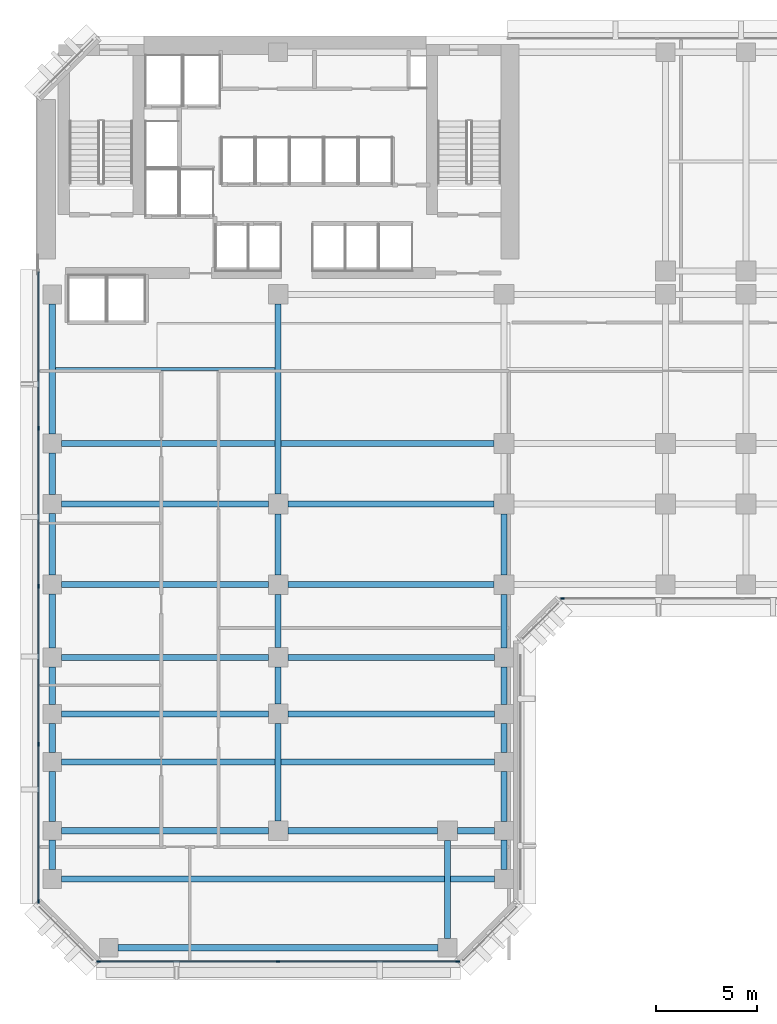
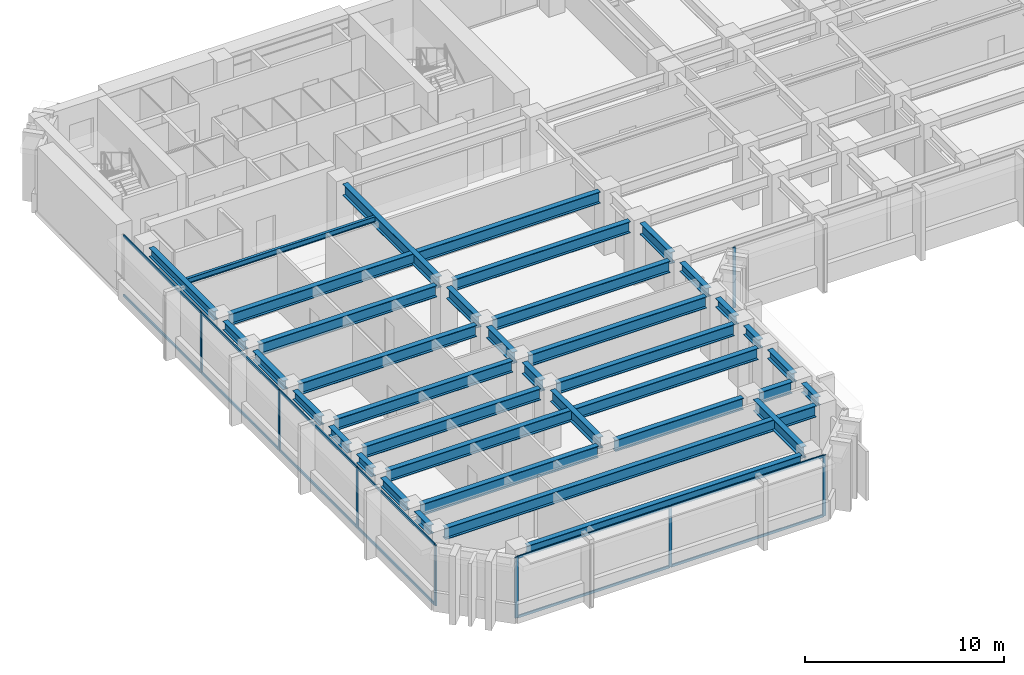
# One storey, part 2 of 13: 36 beams, 20 members, 3 elements without a shape of their own.
"""IFC4 building model written with IfcOpenShell, lengths in metres."""

from ifc_helpers import new_model, si_unit, direction, frame, origin, origin_2d, place, context, subcontext, project, spatial, rectangle, i_section, extrude, material, layer, layer_set, material_profile, profile_set, type_object, element, aggregate, save


model = new_model("IFC4")

# Units and contexts
model_context = context("Model", 3, precision=1e-05, world=origin(), true_north=direction((0.0, 1.0)))
body_context = subcontext(model_context, "Body", "Model", "MODEL_VIEW")
ifc_project = project(units=[si_unit("LENGTHUNIT", "METRE"), si_unit("AREAUNIT", "SQUARE_METRE"), si_unit("VOLUMEUNIT", "CUBIC_METRE"), si_unit("PLANEANGLEUNIT", "RADIAN"), si_unit("MASSUNIT", "GRAM", prefix="KILO")], contexts=[model_context])

# Site, building, storey
site_placement = place(None, origin())
site = spatial("IfcSite", under=ifc_project, at=site_placement, CompositionType="ELEMENT")
building_placement = place(site_placement, origin())
building = spatial("IfcBuilding", under=site, at=building_placement, Name="Kefirva Bronze Tower", CompositionType="ELEMENT")
storey_placement = place(building_placement, frame((0.0, 0.0, 46.199951171875)))
storey = spatial("IfcBuildingStorey", under=building, at=storey_placement, Name="L10", CompositionType="ELEMENT", Elevation=46.199951171875)

# Curtain wall, members
ifc_material_1 = material(Name="Bronze anodised aluminium", Category="aluminium")
ifc_layer = layer(ifc_material_1, 0.199951171875, Name="Bronze anodised aluminium")
ifc_layer_set = layer_set([ifc_layer], Name="Bronze anodised aluminium")
curtain_wall_type = type_object("IfcCurtainWallType", Name="Unitised Bronze Ribbon Curtain Wall Zone 1", PredefinedType="USERDEFINED", material=ifc_layer_set)
curtain_wall_1_placement = place(storey_placement, origin())
curtain_wall_1 = element("IfcCurtainWall", 1, at=curtain_wall_1_placement, inside=storey, type_object=curtain_wall_type, Name="L10 Curtain Wall 1", ObjectType="UNITISED CURTAIN WALL", PredefinedType="USERDEFINED")
ifc_material_profile_1 = material_profile(ifc_material_1, rectangle(XDim=0.074951171875, YDim=0.179931640625, at=origin_2d()), Name="ALU 75x180")
ifc_profile_set_1 = profile_set([ifc_material_profile_1], Name="Bronze anodised aluminium")
member_type_1 = type_object("IfcMemberType", Name="Bronze Mullion 75x180", PredefinedType="MULLION", material=ifc_profile_set_1)
member_1_placement = place(storey_placement, frame((3.092529296875, 0.1201171875, 0.0), z_axis=(0.0, 0.0, 1.0), x_axis=(0.0, 1.0, 0.0)))
member_1 = element("IfcMember", 2, at=member_1_placement, type_object=member_type_1, Name="CW-01 mullion 1", PredefinedType="MULLION", context=body_context, shape_type="SweptSolid", body=[
    extrude(rectangle(XDim=0.074951171875, YDim=0.179931640625, at=origin_2d()), origin(), (0.0, 0.0, 1.0), 3.7099609375),
])
member_2_placement = place(storey_placement, frame((12.0, 0.1201171875, 0.0), z_axis=(0.0, 0.0, 1.0), x_axis=(0.0, 1.0, 0.0)))
member_2 = element("IfcMember", 3, at=member_2_placement, type_object=member_type_1, Name="CW-01 mullion 2", PredefinedType="MULLION", context=body_context, shape_type="SweptSolid", body=[
    extrude(rectangle(XDim=0.074951171875, YDim=0.179931640625, at=origin_2d()), origin(), (0.0, 0.0, 1.0), 3.7099609375),
])
member_3_placement = place(storey_placement, frame((20.907470703125, 0.1201171875, 0.0), z_axis=(0.0, 0.0, 1.0), x_axis=(0.0, 1.0, 0.0)))
member_3 = element("IfcMember", 4, at=member_3_placement, type_object=member_type_1, Name="CW-01 mullion 3", PredefinedType="MULLION", context=body_context, shape_type="SweptSolid", body=[
    extrude(rectangle(XDim=0.074951171875, YDim=0.179931640625, at=origin_2d()), origin(), (0.0, 0.0, 1.0), 3.7099609375),
])

# Curtain wall, member
curtain_wall_2_placement = place(storey_placement, origin())
curtain_wall_2 = element("IfcCurtainWall", 5, at=curtain_wall_2_placement, inside=storey, type_object=curtain_wall_type, Name="L10 Curtain Wall 2", ObjectType="UNITISED CURTAIN WALL", PredefinedType="USERDEFINED")
member_4_placement = place(storey_placement, frame((26.092529296875, 18.1201171875, 0.0), z_axis=(0.0, 0.0, 1.0), x_axis=(0.0, 1.0, 0.0)))
member_4 = element("IfcMember", 6, at=member_4_placement, type_object=member_type_1, Name="CW-01 mullion 1", PredefinedType="MULLION", context=body_context, shape_type="SweptSolid", body=[
    extrude(rectangle(XDim=0.074951171875, YDim=0.179931640625, at=origin_2d()), origin(), (0.0, 0.0, 1.0), 3.7099609375),
])
aggregate(curtain_wall_2, [member_4])

# Curtain wall, members
curtain_wall_3_placement = place(storey_placement, origin())
curtain_wall_3 = element("IfcCurtainWall", 7, at=curtain_wall_3_placement, inside=storey, type_object=curtain_wall_type, Name="L10 Curtain Wall 5", ObjectType="UNITISED CURTAIN WALL", PredefinedType="USERDEFINED")
member_5_placement = place(storey_placement, frame((0.1201171875, 26.56005859375, 0.0), z_axis=(0.0, 0.0, 1.0), x_axis=(1.0, 0.0, 0.0)))
member_5 = element("IfcMember", 8, at=member_5_placement, type_object=member_type_1, Name="CW-01 mullion 2", PredefinedType="MULLION", context=body_context, shape_type="SweptSolid", body=[
    extrude(rectangle(XDim=0.074951171875, YDim=0.179931640625, at=origin_2d()), origin(), (0.0, 0.0, 1.0), 3.7099609375),
])
member_6_placement = place(storey_placement, frame((0.1201171875, 18.72509765625, 0.0), z_axis=(0.0, 0.0, 1.0), x_axis=(1.0, 0.0, 0.0)))
member_6 = element("IfcMember", 9, at=member_6_placement, type_object=member_type_1, Name="CW-01 mullion 3", PredefinedType="MULLION", context=body_context, shape_type="SweptSolid", body=[
    extrude(rectangle(XDim=0.074951171875, YDim=0.179931640625, at=origin_2d()), origin(), (0.0, 0.0, 1.0), 3.7099609375),
])
member_7_placement = place(storey_placement, frame((0.1201171875, 10.889892578125, 0.0), z_axis=(0.0, 0.0, 1.0), x_axis=(1.0, 0.0, 0.0)))
member_7 = element("IfcMember", 10, at=member_7_placement, type_object=member_type_1, Name="CW-01 mullion 4", PredefinedType="MULLION", context=body_context, shape_type="SweptSolid", body=[
    extrude(rectangle(XDim=0.074951171875, YDim=0.179931640625, at=origin_2d()), origin(), (0.0, 0.0, 1.0), 3.7099609375),
])
member_8_placement = place(storey_placement, frame((0.1201171875, 3.092529296875, 0.0), z_axis=(0.0, 0.0, 1.0), x_axis=(1.0, 0.0, 0.0)))
member_8 = element("IfcMember", 11, at=member_8_placement, type_object=member_type_1, Name="CW-01 mullion 5", PredefinedType="MULLION", context=body_context, shape_type="SweptSolid", body=[
    extrude(rectangle(XDim=0.074951171875, YDim=0.179931640625, at=origin_2d()), origin(), (0.0, 0.0, 1.0), 3.7099609375),
])

# Member
ifc_material_profile_2 = material_profile(ifc_material_1, rectangle(XDim=0.074951171875, YDim=0.14990234375, at=origin_2d()), Name="ALU 75x150")
ifc_profile_set_2 = profile_set([ifc_material_profile_2], Name="Bronze anodised aluminium")
member_type_2 = type_object("IfcMemberType", Name="Bronze Transom 75x150", PredefinedType="USERDEFINED", material=ifc_profile_set_2)
member_9_placement = place(storey_placement, frame((3.1298828125, 0.1201171875, 0.03759765625), z_axis=(1.0, 0.0, 0.0), x_axis=(0.0, 1.0, 0.0)))
member_9 = element("IfcMember", 12, at=member_9_placement, type_object=member_type_2, Name="CW-01 transom 1.1", ObjectType="TRANSOM", PredefinedType="USERDEFINED", context=body_context, shape_type="SweptSolid", body=[
    extrude(rectangle(XDim=0.074951171875, YDim=0.14990234375, at=origin_2d()), origin(), (0.0, 0.0, 1.0), 8.83251953125),
])

member_10_placement = place(storey_placement, frame((3.1298828125, 0.1201171875, 3.672607421875), z_axis=(1.0, 0.0, 0.0), x_axis=(0.0, 1.0, 0.0)))
member_10 = element("IfcMember", 13, at=member_10_placement, type_object=member_type_2, Name="CW-01 transom 1.2", ObjectType="TRANSOM", PredefinedType="USERDEFINED", context=body_context, shape_type="SweptSolid", body=[
    extrude(rectangle(XDim=0.074951171875, YDim=0.14990234375, at=origin_2d()), origin(), (0.0, 0.0, 1.0), 8.83251953125),
])

member_11_placement = place(storey_placement, frame((12.03759765625, 0.1201171875, 0.03759765625), z_axis=(1.0, 0.0, 0.0), x_axis=(0.0, 1.0, 0.0)))
member_11 = element("IfcMember", 14, at=member_11_placement, type_object=member_type_2, Name="CW-01 transom 2.1", ObjectType="TRANSOM", PredefinedType="USERDEFINED", context=body_context, shape_type="SweptSolid", body=[
    extrude(rectangle(XDim=0.074951171875, YDim=0.14990234375, at=origin_2d()), origin(), (0.0, 0.0, 1.0), 8.83251953125),
])

member_12_placement = place(storey_placement, frame((12.03759765625, 0.1201171875, 3.672607421875), z_axis=(1.0, 0.0, 0.0), x_axis=(0.0, 1.0, 0.0)))
member_12 = element("IfcMember", 15, at=member_12_placement, type_object=member_type_2, Name="CW-01 transom 2.2", ObjectType="TRANSOM", PredefinedType="USERDEFINED", context=body_context, shape_type="SweptSolid", body=[
    extrude(rectangle(XDim=0.074951171875, YDim=0.14990234375, at=origin_2d()), origin(), (0.0, 0.0, 1.0), 8.83251953125),
])

aggregate(curtain_wall_1, [member_1, member_2, member_3, member_9, member_10, member_11, member_12])

member_13_placement = place(storey_placement, frame((0.1201171875, 34.320068359375, 0.03759765625), z_axis=(0.0, -1.0, 0.0), x_axis=(1.0, 0.0, 0.0)))
member_13 = element("IfcMember", 16, at=member_13_placement, type_object=member_type_2, Name="CW-01 transom 1.1", ObjectType="TRANSOM", PredefinedType="USERDEFINED", context=body_context, shape_type="SweptSolid", body=[
    extrude(rectangle(XDim=0.074951171875, YDim=0.14990234375, at=origin_2d()), origin(), (0.0, 0.0, 1.0), 7.72265625),
])

member_14_placement = place(storey_placement, frame((0.1201171875, 34.320068359375, 3.672607421875), z_axis=(0.0, -1.0, 0.0), x_axis=(1.0, 0.0, 0.0)))
member_14 = element("IfcMember", 17, at=member_14_placement, type_object=member_type_2, Name="CW-01 transom 1.2", ObjectType="TRANSOM", PredefinedType="USERDEFINED", context=body_context, shape_type="SweptSolid", body=[
    extrude(rectangle(XDim=0.074951171875, YDim=0.14990234375, at=origin_2d()), origin(), (0.0, 0.0, 1.0), 7.72265625),
])

member_15_placement = place(storey_placement, frame((0.1201171875, 26.5224609375, 0.03759765625), z_axis=(0.0, -1.0, 0.0), x_axis=(1.0, 0.0, 0.0)))
member_15 = element("IfcMember", 18, at=member_15_placement, type_object=member_type_2, Name="CW-01 transom 2.1", ObjectType="TRANSOM", PredefinedType="USERDEFINED", context=body_context, shape_type="SweptSolid", body=[
    extrude(rectangle(XDim=0.074951171875, YDim=0.14990234375, at=origin_2d()), origin(), (0.0, 0.0, 1.0), 7.760009765625),
])

member_16_placement = place(storey_placement, frame((0.1201171875, 26.5224609375, 3.672607421875), z_axis=(0.0, -1.0, 0.0), x_axis=(1.0, 0.0, 0.0)))
member_16 = element("IfcMember", 19, at=member_16_placement, type_object=member_type_2, Name="CW-01 transom 2.2", ObjectType="TRANSOM", PredefinedType="USERDEFINED", context=body_context, shape_type="SweptSolid", body=[
    extrude(rectangle(XDim=0.074951171875, YDim=0.14990234375, at=origin_2d()), origin(), (0.0, 0.0, 1.0), 7.760009765625),
])

member_17_placement = place(storey_placement, frame((0.1201171875, 18.6875, 0.03759765625), z_axis=(0.0, -1.0, 0.0), x_axis=(1.0, 0.0, 0.0)))
member_17 = element("IfcMember", 20, at=member_17_placement, type_object=member_type_2, Name="CW-01 transom 3.1", ObjectType="TRANSOM", PredefinedType="USERDEFINED", context=body_context, shape_type="SweptSolid", body=[
    extrude(rectangle(XDim=0.074951171875, YDim=0.14990234375, at=origin_2d()), origin(), (0.0, 0.0, 1.0), 7.760009765625),
])

member_18_placement = place(storey_placement, frame((0.1201171875, 18.6875, 3.672607421875), z_axis=(0.0, -1.0, 0.0), x_axis=(1.0, 0.0, 0.0)))
member_18 = element("IfcMember", 21, at=member_18_placement, type_object=member_type_2, Name="CW-01 transom 3.2", ObjectType="TRANSOM", PredefinedType="USERDEFINED", context=body_context, shape_type="SweptSolid", body=[
    extrude(rectangle(XDim=0.074951171875, YDim=0.14990234375, at=origin_2d()), origin(), (0.0, 0.0, 1.0), 7.760009765625),
])

member_19_placement = place(storey_placement, frame((0.1201171875, 10.8525390625, 0.03759765625), z_axis=(0.0, -1.0, 0.0), x_axis=(1.0, 0.0, 0.0)))
member_19 = element("IfcMember", 22, at=member_19_placement, type_object=member_type_2, Name="CW-01 transom 4.1", ObjectType="TRANSOM", PredefinedType="USERDEFINED", context=body_context, shape_type="SweptSolid", body=[
    extrude(rectangle(XDim=0.074951171875, YDim=0.14990234375, at=origin_2d()), origin(), (0.0, 0.0, 1.0), 7.72265625),
])

member_20_placement = place(storey_placement, frame((0.1201171875, 10.8525390625, 3.672607421875), z_axis=(0.0, -1.0, 0.0), x_axis=(1.0, 0.0, 0.0)))
member_20 = element("IfcMember", 23, at=member_20_placement, type_object=member_type_2, Name="CW-01 transom 4.2", ObjectType="TRANSOM", PredefinedType="USERDEFINED", context=body_context, shape_type="SweptSolid", body=[
    extrude(rectangle(XDim=0.074951171875, YDim=0.14990234375, at=origin_2d()), origin(), (0.0, 0.0, 1.0), 7.72265625),
])

aggregate(curtain_wall_3, [member_5, member_6, member_7, member_8, member_13, member_14, member_15, member_16, member_17, member_18, member_19, member_20])

# Beams
ifc_material_2 = material(Name="Steel S355", Category="steel")
ifc_material_profile_3 = material_profile(ifc_material_2, i_section(OverallWidth=0.159912109375, OverallDepth=0.330078125, WebThickness=0.007568359375, FlangeThickness=0.011474609375, at=origin_2d()), Name="IPE 330")
ifc_profile_set_3 = profile_set([ifc_material_profile_3], Name="Steel S355")
beam_type_1 = type_object("IfcBeamType", Name="Steel Floor Joist IPE 330", PredefinedType="JOIST", material=ifc_profile_set_3)
beam_1_placement = place(storey_placement, frame((0.949951171875, 29.489990234375, 3.545166015625), z_axis=(1.0, 0.0, 0.0), x_axis=(0.0, 1.0, 0.0)))
element("IfcBeam", 24, at=beam_1_placement, inside=storey, type_object=beam_type_1, Name="L10 JST-L10-0-294", PredefinedType="JOIST", context=body_context, shape_type="SweptSolid", body=[
    extrude(i_section(OverallWidth=0.159912109375, OverallDepth=0.330078125, WebThickness=0.007568359375, FlangeThickness=0.011474609375, at=origin_2d()), origin(), (0.0, 0.0, 1.0), 10.900146484375),
])
ifc_material_profile_4 = material_profile(ifc_material_2, i_section(OverallWidth=0.300048828125, OverallDepth=0.699951171875, WebThickness=0.01708984375, FlangeThickness=0.031982421875, at=origin_2d()), Name="HEB 700")
ifc_profile_set_4 = profile_set([ifc_material_profile_4], Name="Steel S355")
beam_type_2 = type_object("IfcBeamType", Name="Steel Girder HEB 700", PredefinedType="USERDEFINED", material=ifc_profile_set_4)
beam_2_placement = place(storey_placement, frame((1.27001953125, 4.199951171875, 3.360107421875), z_axis=(1.0, 0.0, 0.0), x_axis=(0.0, 1.0, 0.0)))
element("IfcBeam", 25, at=beam_2_placement, inside=storey, type_object=beam_type_2, Name="L10 BM-L10-EW-0-42", ObjectType="GIRDER", PredefinedType="USERDEFINED", context=body_context, shape_type="SweptSolid", body=[
    extrude(i_section(OverallWidth=0.300048828125, OverallDepth=0.699951171875, WebThickness=0.01708984375, FlangeThickness=0.031982421875, at=origin_2d()), origin(), (0.0, 0.0, 1.0), 21.4599609375),
])
beam_3_placement = place(storey_placement, frame((1.27001953125, 6.60009765625, 3.360107421875), z_axis=(1.0, 0.0, 0.0), x_axis=(0.0, 1.0, 0.0)))
element("IfcBeam", 26, at=beam_3_placement, inside=storey, type_object=beam_type_2, Name="L10 BM-L10-EW-0-66", ObjectType="GIRDER", PredefinedType="USERDEFINED", context=body_context, shape_type="SweptSolid", body=[
    extrude(i_section(OverallWidth=0.300048828125, OverallDepth=0.699951171875, WebThickness=0.01708984375, FlangeThickness=0.031982421875, at=origin_2d()), origin(), (0.0, 0.0, 1.0), 10.239990234375),
])
beam_4_placement = place(storey_placement, frame((12.489990234375, 6.60009765625, 3.360107421875), z_axis=(1.0, 0.0, 0.0), x_axis=(0.0, 1.0, 0.0)))
element("IfcBeam", 27, at=beam_4_placement, inside=storey, type_object=beam_type_2, Name="L10 BM-L10-EW-12-66", ObjectType="GIRDER", PredefinedType="USERDEFINED", context=body_context, shape_type="SweptSolid", body=[
    extrude(i_section(OverallWidth=0.300048828125, OverallDepth=0.699951171875, WebThickness=0.01708984375, FlangeThickness=0.031982421875, at=origin_2d()), origin(), (0.0, 0.0, 1.0), 7.419921875),
])
beam_5_placement = place(storey_placement, frame((20.889892578125, 6.60009765625, 3.360107421875), z_axis=(1.0, 0.0, 0.0), x_axis=(0.0, 1.0, 0.0)))
element("IfcBeam", 28, at=beam_5_placement, inside=storey, type_object=beam_type_2, Name="L10 BM-L10-EW-20-66", ObjectType="GIRDER", PredefinedType="USERDEFINED", context=body_context, shape_type="SweptSolid", body=[
    extrude(i_section(OverallWidth=0.300048828125, OverallDepth=0.699951171875, WebThickness=0.01708984375, FlangeThickness=0.031982421875, at=origin_2d()), origin(), (0.0, 0.0, 1.0), 1.840087890625),
])
beam_6_placement = place(storey_placement, frame((1.27001953125, 10.0, 3.360107421875), z_axis=(1.0, 0.0, 0.0), x_axis=(0.0, 1.0, 0.0)))
element("IfcBeam", 29, at=beam_6_placement, inside=storey, type_object=beam_type_2, Name="L10 BM-L10-EW-0-100", ObjectType="GIRDER", PredefinedType="USERDEFINED", context=body_context, shape_type="SweptSolid", body=[
    extrude(i_section(OverallWidth=0.300048828125, OverallDepth=0.699951171875, WebThickness=0.01708984375, FlangeThickness=0.031982421875, at=origin_2d()), origin(), (0.0, 0.0, 1.0), 21.4599609375),
])
for number, where, z_axis, x_axis, name in (
    (30, (1.27001953125, 12.39990234375, 3.360107421875), (1.0, 0.0, 0.0), (0.0, 1.0, 0.0), "L10 BM-L10-EW-0-124"),
    (31, (12.489990234375, 12.39990234375, 3.360107421875), (1.0, 0.0, 0.0), (0.0, 1.0, 0.0), "L10 BM-L10-EW-12-124"),
    (32, (1.27001953125, 15.199951171875, 3.360107421875), (1.0, 0.0, 0.0), (0.0, 1.0, 0.0), "L10 BM-L10-EW-0-152"),
    (33, (12.489990234375, 15.199951171875, 3.360107421875), (1.0, 0.0, 0.0), (0.0, 1.0, 0.0), "L10 BM-L10-EW-12-152"),
    (34, (1.27001953125, 18.800048828125, 3.360107421875), (1.0, 0.0, 0.0), (0.0, 1.0, 0.0), "L10 BM-L10-EW-0-188"),
):
    element("IfcBeam", number, at=place(storey_placement, frame(where, z_axis=z_axis, x_axis=x_axis)), inside=storey, type_object=beam_type_2, Name=name, ObjectType="GIRDER", PredefinedType="USERDEFINED", context=body_context, shape_type="SweptSolid", body=[
        extrude(i_section(OverallWidth=0.300048828125, OverallDepth=0.699951171875, WebThickness=0.01708984375, FlangeThickness=0.031982421875, at=origin_2d()), origin(), (0.0, 0.0, 1.0), 10.239990234375),
    ])
beam_7_placement = place(storey_placement, frame((12.489990234375, 18.800048828125, 3.360107421875), z_axis=(1.0, 0.0, 0.0), x_axis=(0.0, 1.0, 0.0)))
element("IfcBeam", 35, at=beam_7_placement, inside=storey, type_object=beam_type_2, Name="L10 BM-L10-EW-12-188", ObjectType="GIRDER", PredefinedType="USERDEFINED", context=body_context, shape_type="SweptSolid", body=[
    extrude(i_section(OverallWidth=0.300048828125, OverallDepth=0.699951171875, WebThickness=0.01708984375, FlangeThickness=0.031982421875, at=origin_2d()), origin(), (0.0, 0.0, 1.0), 10.219970703125),
])
beam_8_placement = place(storey_placement, frame((1.27001953125, 22.800048828125, 3.360107421875), z_axis=(1.0, 0.0, 0.0), x_axis=(0.0, 1.0, 0.0)))
element("IfcBeam", 36, at=beam_8_placement, inside=storey, type_object=beam_type_2, Name="L10 BM-L10-EW-0-228", ObjectType="GIRDER", PredefinedType="USERDEFINED", context=body_context, shape_type="SweptSolid", body=[
    extrude(i_section(OverallWidth=0.300048828125, OverallDepth=0.699951171875, WebThickness=0.01708984375, FlangeThickness=0.031982421875, at=origin_2d()), origin(), (0.0, 0.0, 1.0), 10.239990234375),
])
beam_9_placement = place(storey_placement, frame((12.489990234375, 22.800048828125, 3.360107421875), z_axis=(1.0, 0.0, 0.0), x_axis=(0.0, 1.0, 0.0)))
element("IfcBeam", 37, at=beam_9_placement, inside=storey, type_object=beam_type_2, Name="L10 BM-L10-EW-12-228", ObjectType="GIRDER", PredefinedType="USERDEFINED", context=body_context, shape_type="SweptSolid", body=[
    extrude(i_section(OverallWidth=0.300048828125, OverallDepth=0.699951171875, WebThickness=0.01708984375, FlangeThickness=0.031982421875, at=origin_2d()), origin(), (0.0, 0.0, 1.0), 10.219970703125),
])
beam_10_placement = place(storey_placement, frame((1.27001953125, 25.800048828125, 3.360107421875), z_axis=(1.0, 0.0, 0.0), x_axis=(0.0, 1.0, 0.0)))
element("IfcBeam", 38, at=beam_10_placement, inside=storey, type_object=beam_type_2, Name="L10 BM-L10-EW-0-258", ObjectType="GIRDER", PredefinedType="USERDEFINED", context=body_context, shape_type="SweptSolid", body=[
    extrude(i_section(OverallWidth=0.300048828125, OverallDepth=0.699951171875, WebThickness=0.01708984375, FlangeThickness=0.031982421875, at=origin_2d()), origin(), (0.0, 0.0, 1.0), 21.43994140625),
])
beam_11_placement = place(storey_placement, frame((12.0, 7.090087890625, 3.360107421875), z_axis=(0.0, 1.0, 0.0), x_axis=(-1.0, 0.0, 0.0)))
element("IfcBeam", 39, at=beam_11_placement, inside=storey, type_object=beam_type_2, Name="L10 BM-L10-NS-120-6", ObjectType="GIRDER", PredefinedType="USERDEFINED", context=body_context, shape_type="SweptSolid", body=[
    extrude(i_section(OverallWidth=0.300048828125, OverallDepth=0.699951171875, WebThickness=0.01708984375, FlangeThickness=0.031982421875, at=origin_2d()), origin(), (0.0, 0.0, 1.0), 4.81982421875),
])
beam_12_placement = place(storey_placement, frame((12.0, 12.889892578125, 3.360107421875), z_axis=(0.0, 1.0, 0.0), x_axis=(-1.0, 0.0, 0.0)))
element("IfcBeam", 40, at=beam_12_placement, inside=storey, type_object=beam_type_2, Name="L10 BM-L10-NS-120-12", ObjectType="GIRDER", PredefinedType="USERDEFINED", context=body_context, shape_type="SweptSolid", body=[
    extrude(i_section(OverallWidth=0.300048828125, OverallDepth=0.699951171875, WebThickness=0.01708984375, FlangeThickness=0.031982421875, at=origin_2d()), origin(), (0.0, 0.0, 1.0), 1.820068359375),
])
beam_13_placement = place(storey_placement, frame((12.0, 15.68994140625, 3.360107421875), z_axis=(0.0, 1.0, 0.0), x_axis=(-1.0, 0.0, 0.0)))
element("IfcBeam", 41, at=beam_13_placement, inside=storey, type_object=beam_type_2, Name="L10 BM-L10-NS-120-15", ObjectType="GIRDER", PredefinedType="USERDEFINED", context=body_context, shape_type="SweptSolid", body=[
    extrude(i_section(OverallWidth=0.300048828125, OverallDepth=0.699951171875, WebThickness=0.01708984375, FlangeThickness=0.031982421875, at=origin_2d()), origin(), (0.0, 0.0, 1.0), 2.6201171875),
])
beam_14_placement = place(storey_placement, frame((12.0, 19.2900390625, 3.360107421875), z_axis=(0.0, 1.0, 0.0), x_axis=(-1.0, 0.0, 0.0)))
element("IfcBeam", 42, at=beam_14_placement, inside=storey, type_object=beam_type_2, Name="L10 BM-L10-NS-120-18", ObjectType="GIRDER", PredefinedType="USERDEFINED", context=body_context, shape_type="SweptSolid", body=[
    extrude(i_section(OverallWidth=0.300048828125, OverallDepth=0.699951171875, WebThickness=0.01708984375, FlangeThickness=0.031982421875, at=origin_2d()), origin(), (0.0, 0.0, 1.0), 3.02001953125),
])
beam_15_placement = place(storey_placement, frame((12.0, 23.2900390625, 3.360107421875), z_axis=(0.0, 1.0, 0.0), x_axis=(-1.0, 0.0, 0.0)))
element("IfcBeam", 43, at=beam_15_placement, inside=storey, type_object=beam_type_2, Name="L10 BM-L10-NS-120-22", ObjectType="GIRDER", PredefinedType="USERDEFINED", context=body_context, shape_type="SweptSolid", body=[
    extrude(i_section(OverallWidth=0.300048828125, OverallDepth=0.699951171875, WebThickness=0.01708984375, FlangeThickness=0.031982421875, at=origin_2d()), origin(), (0.0, 0.0, 1.0), 9.419921875),
])
beam_16_placement = place(storey_placement, frame((20.39990234375, 1.27001953125, 3.360107421875), z_axis=(0.0, 1.0, 0.0), x_axis=(-1.0, 0.0, 0.0)))
element("IfcBeam", 44, at=beam_16_placement, inside=storey, type_object=beam_type_2, Name="L10 BM-L10-NS-204-0", ObjectType="GIRDER", PredefinedType="USERDEFINED", context=body_context, shape_type="SweptSolid", body=[
    extrude(i_section(OverallWidth=0.300048828125, OverallDepth=0.699951171875, WebThickness=0.01708984375, FlangeThickness=0.031982421875, at=origin_2d()), origin(), (0.0, 0.0, 1.0), 4.840087890625),
])
beam_17_placement = place(storey_placement, frame((23.199951171875, 19.2900390625, 3.360107421875), z_axis=(0.0, 1.0, 0.0), x_axis=(-1.0, 0.0, 0.0)))
element("IfcBeam", 45, at=beam_17_placement, inside=storey, type_object=beam_type_2, Name="L10 BM-L10-NS-232-18", ObjectType="GIRDER", PredefinedType="USERDEFINED", context=body_context, shape_type="SweptSolid", body=[
    extrude(i_section(OverallWidth=0.300048828125, OverallDepth=0.699951171875, WebThickness=0.01708984375, FlangeThickness=0.031982421875, at=origin_2d()), origin(), (0.0, 0.0, 1.0), 3.02001953125),
])
ifc_material_profile_5 = material_profile(ifc_material_2, i_section(OverallWidth=0.300048828125, OverallDepth=0.550048828125, WebThickness=0.014892578125, FlangeThickness=0.029052734375, at=origin_2d()), Name="HEB 550")
ifc_profile_set_5 = profile_set([ifc_material_profile_5], Name="Steel S355")
beam_type_3 = type_object("IfcBeamType", Name="Steel Spandrel HEB 550 Ext", PredefinedType="SPANDREL", material=ifc_profile_set_5)
beam_18_placement = place(storey_placement, frame((4.070068359375, 0.800048828125, 3.43505859375), z_axis=(1.0, 0.0, 0.0), x_axis=(0.0, 1.0, 0.0)))
element("IfcBeam", 46, at=beam_18_placement, inside=storey, type_object=beam_type_3, Name="L10 BM-L10-EW-3-8", PredefinedType="SPANDREL", context=body_context, shape_type="SweptSolid", body=[
    extrude(i_section(OverallWidth=0.300048828125, OverallDepth=0.550048828125, WebThickness=0.014892578125, FlangeThickness=0.029052734375, at=origin_2d()), origin(), (0.0, 0.0, 1.0), 15.85986328125),
])
beam_19_placement = place(storey_placement, frame((0.800048828125, 4.669921875, 3.43505859375), z_axis=(0.0, 1.0, 0.0), x_axis=(-1.0, 0.0, 0.0)))
element("IfcBeam", 47, at=beam_19_placement, inside=storey, type_object=beam_type_3, Name="L10 BM-L10-NS-8-4", PredefinedType="SPANDREL", context=body_context, shape_type="SweptSolid", body=[
    extrude(i_section(OverallWidth=0.300048828125, OverallDepth=0.550048828125, WebThickness=0.014892578125, FlangeThickness=0.029052734375, at=origin_2d()), origin(), (0.0, 0.0, 1.0), 1.4599609375),
])
beam_20_placement = place(storey_placement, frame((0.800048828125, 7.070068359375, 3.43505859375), z_axis=(0.0, 1.0, 0.0), x_axis=(-1.0, 0.0, 0.0)))
element("IfcBeam", 48, at=beam_20_placement, inside=storey, type_object=beam_type_3, Name="L10 BM-L10-NS-8-6", PredefinedType="SPANDREL", context=body_context, shape_type="SweptSolid", body=[
    extrude(i_section(OverallWidth=0.300048828125, OverallDepth=0.550048828125, WebThickness=0.014892578125, FlangeThickness=0.029052734375, at=origin_2d()), origin(), (0.0, 0.0, 1.0), 2.4599609375),
])
beam_21_placement = place(storey_placement, frame((0.800048828125, 10.469970703125, 3.43505859375), z_axis=(0.0, 1.0, 0.0), x_axis=(-1.0, 0.0, 0.0)))
element("IfcBeam", 49, at=beam_21_placement, inside=storey, type_object=beam_type_3, Name="L10 BM-L10-NS-8-10", PredefinedType="SPANDREL", context=body_context, shape_type="SweptSolid", body=[
    extrude(i_section(OverallWidth=0.300048828125, OverallDepth=0.550048828125, WebThickness=0.014892578125, FlangeThickness=0.029052734375, at=origin_2d()), origin(), (0.0, 0.0, 1.0), 1.4599609375),
])
beam_22_placement = place(storey_placement, frame((0.800048828125, 12.8701171875, 3.43505859375), z_axis=(0.0, 1.0, 0.0), x_axis=(-1.0, 0.0, 0.0)))
element("IfcBeam", 50, at=beam_22_placement, inside=storey, type_object=beam_type_3, Name="L10 BM-L10-NS-8-12", PredefinedType="SPANDREL", context=body_context, shape_type="SweptSolid", body=[
    extrude(i_section(OverallWidth=0.300048828125, OverallDepth=0.550048828125, WebThickness=0.014892578125, FlangeThickness=0.029052734375, at=origin_2d()), origin(), (0.0, 0.0, 1.0), 1.85986328125),
])
beam_23_placement = place(storey_placement, frame((0.800048828125, 15.669921875, 3.43505859375), z_axis=(0.0, 1.0, 0.0), x_axis=(-1.0, 0.0, 0.0)))
element("IfcBeam", 51, at=beam_23_placement, inside=storey, type_object=beam_type_3, Name="L10 BM-L10-NS-8-15", PredefinedType="SPANDREL", context=body_context, shape_type="SweptSolid", body=[
    extrude(i_section(OverallWidth=0.300048828125, OverallDepth=0.550048828125, WebThickness=0.014892578125, FlangeThickness=0.029052734375, at=origin_2d()), origin(), (0.0, 0.0, 1.0), 2.66015625),
])
beam_24_placement = place(storey_placement, frame((0.800048828125, 19.27001953125, 3.43505859375), z_axis=(0.0, 1.0, 0.0), x_axis=(-1.0, 0.0, 0.0)))
element("IfcBeam", 52, at=beam_24_placement, inside=storey, type_object=beam_type_3, Name="L10 BM-L10-NS-8-18", PredefinedType="SPANDREL", context=body_context, shape_type="SweptSolid", body=[
    extrude(i_section(OverallWidth=0.300048828125, OverallDepth=0.550048828125, WebThickness=0.014892578125, FlangeThickness=0.029052734375, at=origin_2d()), origin(), (0.0, 0.0, 1.0), 3.06005859375),
])
beam_25_placement = place(storey_placement, frame((0.800048828125, 23.27001953125, 3.43505859375), z_axis=(0.0, 1.0, 0.0), x_axis=(-1.0, 0.0, 0.0)))
element("IfcBeam", 53, at=beam_25_placement, inside=storey, type_object=beam_type_3, Name="L10 BM-L10-NS-8-22", PredefinedType="SPANDREL", context=body_context, shape_type="SweptSolid", body=[
    extrude(i_section(OverallWidth=0.300048828125, OverallDepth=0.550048828125, WebThickness=0.014892578125, FlangeThickness=0.029052734375, at=origin_2d()), origin(), (0.0, 0.0, 1.0), 2.06005859375),
])
beam_26_placement = place(storey_placement, frame((0.800048828125, 26.27001953125, 3.43505859375), z_axis=(0.0, 1.0, 0.0), x_axis=(-1.0, 0.0, 0.0)))
element("IfcBeam", 54, at=beam_26_placement, inside=storey, type_object=beam_type_3, Name="L10 BM-L10-NS-8-25", PredefinedType="SPANDREL", context=body_context, shape_type="SweptSolid", body=[
    extrude(i_section(OverallWidth=0.300048828125, OverallDepth=0.550048828125, WebThickness=0.014892578125, FlangeThickness=0.029052734375, at=origin_2d()), origin(), (0.0, 0.0, 1.0), 6.4599609375),
])
beam_27_placement = place(storey_placement, frame((23.199951171875, 4.669921875, 3.43505859375), z_axis=(0.0, 1.0, 0.0), x_axis=(-1.0, 0.0, 0.0)))
element("IfcBeam", 55, at=beam_27_placement, inside=storey, type_object=beam_type_3, Name="L10 BM-L10-NS-232-4", PredefinedType="SPANDREL", context=body_context, shape_type="SweptSolid", body=[
    extrude(i_section(OverallWidth=0.300048828125, OverallDepth=0.550048828125, WebThickness=0.014892578125, FlangeThickness=0.029052734375, at=origin_2d()), origin(), (0.0, 0.0, 1.0), 1.4599609375),
])
beam_28_placement = place(storey_placement, frame((23.199951171875, 7.070068359375, 3.43505859375), z_axis=(0.0, 1.0, 0.0), x_axis=(-1.0, 0.0, 0.0)))
element("IfcBeam", 56, at=beam_28_placement, inside=storey, type_object=beam_type_3, Name="L10 BM-L10-NS-232-6", PredefinedType="SPANDREL", context=body_context, shape_type="SweptSolid", body=[
    extrude(i_section(OverallWidth=0.300048828125, OverallDepth=0.550048828125, WebThickness=0.014892578125, FlangeThickness=0.029052734375, at=origin_2d()), origin(), (0.0, 0.0, 1.0), 2.4599609375),
])
beam_29_placement = place(storey_placement, frame((23.199951171875, 10.469970703125, 3.43505859375), z_axis=(0.0, 1.0, 0.0), x_axis=(-1.0, 0.0, 0.0)))
element("IfcBeam", 57, at=beam_29_placement, inside=storey, type_object=beam_type_3, Name="L10 BM-L10-NS-232-10", PredefinedType="SPANDREL", context=body_context, shape_type="SweptSolid", body=[
    extrude(i_section(OverallWidth=0.300048828125, OverallDepth=0.550048828125, WebThickness=0.014892578125, FlangeThickness=0.029052734375, at=origin_2d()), origin(), (0.0, 0.0, 1.0), 1.4599609375),
])
beam_30_placement = place(storey_placement, frame((23.199951171875, 12.8701171875, 3.43505859375), z_axis=(0.0, 1.0, 0.0), x_axis=(-1.0, 0.0, 0.0)))
element("IfcBeam", 58, at=beam_30_placement, inside=storey, type_object=beam_type_3, Name="L10 BM-L10-NS-232-12", PredefinedType="SPANDREL", context=body_context, shape_type="SweptSolid", body=[
    extrude(i_section(OverallWidth=0.300048828125, OverallDepth=0.550048828125, WebThickness=0.014892578125, FlangeThickness=0.029052734375, at=origin_2d()), origin(), (0.0, 0.0, 1.0), 1.85986328125),
])
beam_31_placement = place(storey_placement, frame((23.199951171875, 15.669921875, 3.43505859375), z_axis=(0.0, 1.0, 0.0), x_axis=(-1.0, 0.0, 0.0)))
element("IfcBeam", 59, at=beam_31_placement, inside=storey, type_object=beam_type_3, Name="L10 BM-L10-NS-232-15", PredefinedType="SPANDREL", context=body_context, shape_type="SweptSolid", body=[
    extrude(i_section(OverallWidth=0.300048828125, OverallDepth=0.550048828125, WebThickness=0.014892578125, FlangeThickness=0.029052734375, at=origin_2d()), origin(), (0.0, 0.0, 1.0), 2.64013671875),
])

save(model, "model.ifc")
